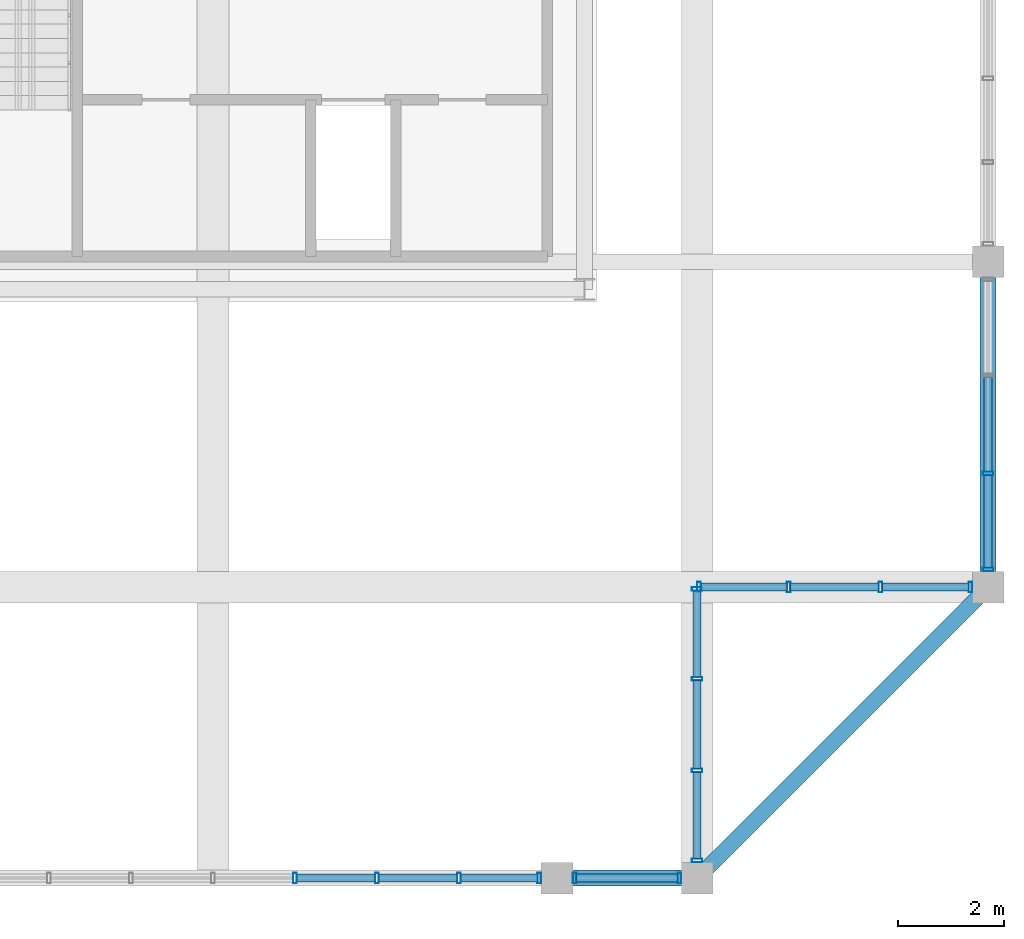
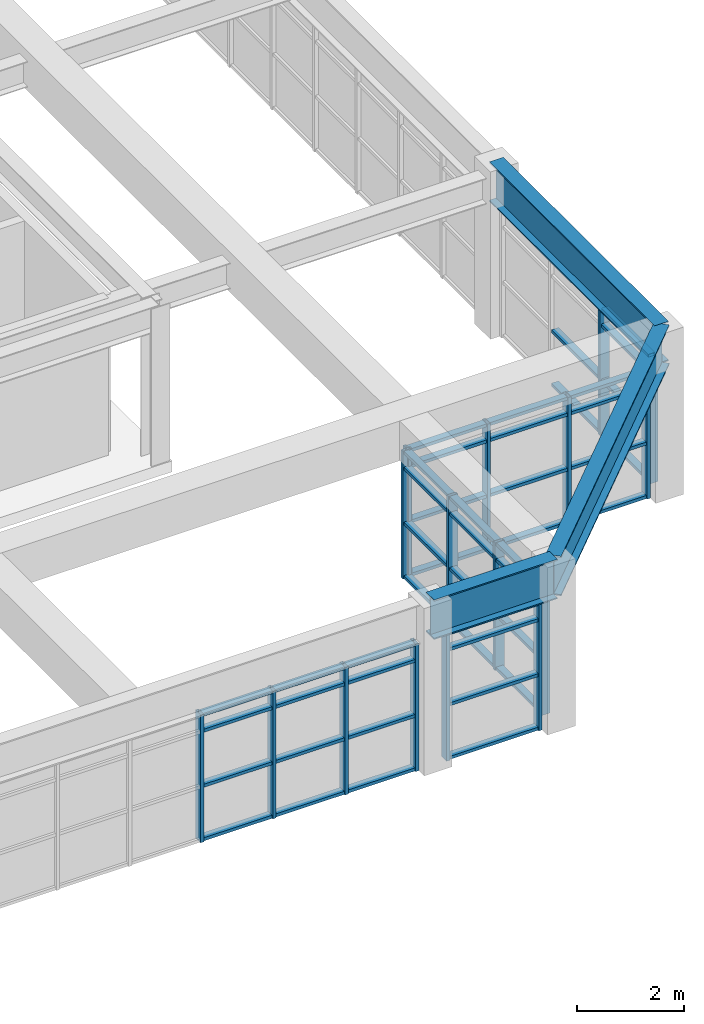
# One storey, part 7 of 28: 62 members, 3 beams, 5 elements without a shape of their own.
"""IFC4 building model written with IfcOpenShell, lengths in metres."""

from ifc_helpers import new_model, si_unit, direction, frame, origin, origin_2d, place, context, subcontext, project, spatial, hollow_rectangle, i_section, extrude, source, transform, mapped, material, layer, layer_set, material_profile, profile_set, type_object, element, aggregate, save


model = new_model("IFC4")

# Units and contexts
model_context = context("Model", 3, precision=1e-05, world=origin(), true_north=direction((0.0, 1.0)))
body_context = subcontext(model_context, "Body", "Model", "MODEL_VIEW")
ifc_project = project(units=[si_unit("LENGTHUNIT", "METRE"), si_unit("AREAUNIT", "SQUARE_METRE"), si_unit("VOLUMEUNIT", "CUBIC_METRE"), si_unit("PLANEANGLEUNIT", "RADIAN"), si_unit("MASSUNIT", "GRAM", prefix="KILO")], contexts=[model_context])

# Site, building, storey
site_placement = place(None, origin())
site = spatial("IfcSite", under=ifc_project, at=site_placement, CompositionType="ELEMENT")
building_placement = place(site_placement, origin())
building = spatial("IfcBuilding", under=site, at=building_placement, Name="Saelheon Loggia Tower", CompositionType="ELEMENT")
storey_placement = place(building_placement, frame((0.0, 0.0, 271.199951171875)))
storey = spatial("IfcBuildingStorey", under=building, at=storey_placement, Name="CR6", CompositionType="ELEMENT", Elevation=271.199951171875)

# Beams
ifc_material_1 = material(Name="Steel SM355", Category="steel")
ifc_material_profile_1 = material_profile(ifc_material_1, i_section(OverallWidth=0.300048828125, OverallDepth=0.89990234375, WebThickness=0.01611328125, FlangeThickness=0.028076171875, at=origin_2d()), Name="H-900x300x16x28")
ifc_profile_set_1 = profile_set([ifc_material_profile_1], Name="Steel SM355")
beam_type = type_object("IfcBeamType", Name="Beam_PoolGirder_Steel_H900", PredefinedType="BEAM", material=ifc_profile_set_1)
shared_shape_1 = source(origin(), body_context, "Body", "SweptSolid", [
    extrude(i_section(OverallWidth=0.300048828125, OverallDepth=0.89990234375, WebThickness=0.01611328125, FlangeThickness=0.028076171875, at=origin_2d()), origin(), (0.0, 0.0, 1.0), 2.64990234375),
])
beam_1_placement = place(storey_placement, frame((44.5, 6.35009765625, 3.35009765625), z_axis=(1.0, 0.0, 0.0), x_axis=(0.0, 1.0, 0.0)))
element("IfcBeam", 1, at=beam_1_placement, inside=storey, type_object=beam_type, Name="CR6 CROWN FRAME Sill Girder 03", PredefinedType="BEAM", context=body_context, shape_type="MappedRepresentation", body=[
    mapped(shared_shape_1, transform((0.0, 0.0, 0.0), scale=1.0)),
])
shared_shape_2 = source(origin(), body_context, "Body", "SweptSolid", [
    extrude(i_section(OverallWidth=0.300048828125, OverallDepth=0.89990234375, WebThickness=0.01611328125, FlangeThickness=0.028076171875, at=origin_2d()), origin(), (0.0, 0.0, 1.0), 7.778076171875),
])
beam_2_placement = place(storey_placement, frame((47.14990234375, 6.35009765625, 3.35009765625), z_axis=(0.707106781187, 0.707106781187, 0.0), x_axis=(-0.707106781187, 0.707106781187, 0.0)))
element("IfcBeam", 2, at=beam_2_placement, inside=storey, type_object=beam_type, Name="CR6 CROWN FRAME Sill Girder 04", PredefinedType="BEAM", context=body_context, shape_type="MappedRepresentation", body=[
    mapped(shared_shape_2, transform((0.0, 0.0, 0.0), scale=1.0)),
])
shared_shape_3 = source(origin(), body_context, "Body", "SweptSolid", [
    extrude(i_section(OverallWidth=0.300048828125, OverallDepth=0.89990234375, WebThickness=0.01611328125, FlangeThickness=0.028076171875, at=origin_2d()), origin(), (0.0, 0.0, 1.0), 6.14990234375),
])
beam_3_placement = place(storey_placement, frame((52.64990234375, 11.85009765625, 3.35009765625), z_axis=(0.0, 1.0, 0.0), x_axis=(-1.0, 0.0, 0.0)))
element("IfcBeam", 3, at=beam_3_placement, inside=storey, type_object=beam_type, Name="CR6 CROWN FRAME Sill Girder 05", PredefinedType="BEAM", context=body_context, shape_type="MappedRepresentation", body=[
    mapped(shared_shape_3, transform((0.0, 0.0, 0.0), scale=1.0)),
])

# Curtain wall, members
ifc_material_2 = material(Name="Bronze-Anodised Aluminium and Fritted Ceramic Screen", Category="aluminium")
ifc_layer = layer(ifc_material_2, 0.219970703125)
ifc_layer_set = layer_set([ifc_layer], Name="Bronze-Anodised Aluminium and Fritted Ceramic Screen")
curtain_wall_type = type_object("IfcCurtainWallType", Name="CW_CrownScreen", PredefinedType="NOTDEFINED", material=ifc_layer_set)
curtain_wall_1_placement = place(storey_placement, origin())
curtain_wall_1 = element("IfcCurtainWall", 4, at=curtain_wall_1_placement, inside=storey, type_object=curtain_wall_type, Name="CR6 Crown Screen Curtain Wall 0-2", PredefinedType="NOTDEFINED")
ifc_material_3 = material(Name="Bronze-Anodised Aluminium 6063-T6", Category="aluminium")
ifc_material_profile_2 = material_profile(ifc_material_3, hollow_rectangle(XDim=0.070068359375, YDim=0.199951171875, WallThickness=0.0048828125, at=origin_2d()), Name="RHS-200x70x5")
ifc_profile_set_2 = profile_set([ifc_material_profile_2], Name="Bronze-Anodised Aluminium 6063-T6")
member_type_1 = type_object("IfcMemberType", Name="CW_CrownScreen_Mullion", PredefinedType="MULLION", material=ifc_profile_set_2)
shared_shape_4 = source(origin(), body_context, "Body", "SweptSolid", [
    extrude(hollow_rectangle(XDim=0.070068359375, YDim=0.199951171875, WallThickness=0.0048828125, at=origin_2d()), origin(), (0.0, 0.0, 1.0), 2.900146484375),
])
member_1_placement = place(storey_placement, frame((39.550048828125, 6.35009765625, 0.0), z_axis=(0.0, 0.0, 1.0), x_axis=(1.0, 0.0, 0.0)))
member_1 = element("IfcMember", 5, at=member_1_placement, type_object=member_type_1, Name="CW6 mullion 6", PredefinedType="MULLION", context=body_context, shape_type="MappedRepresentation", body=[
    mapped(shared_shape_4, transform((0.0, 0.0, 0.0), scale=1.0)),
])
member_2_placement = place(storey_placement, frame((41.10009765625, 6.35009765625, 0.0), z_axis=(0.0, 0.0, 1.0), x_axis=(1.0, 0.0, 0.0)))
member_2 = element("IfcMember", 6, at=member_2_placement, type_object=member_type_1, Name="CW6 mullion 7", PredefinedType="MULLION", context=body_context, shape_type="MappedRepresentation", body=[
    mapped(shared_shape_4, transform((0.0, 0.0, 0.0), scale=1.0)),
])
member_3_placement = place(storey_placement, frame((42.64990234375, 6.35009765625, 0.0), z_axis=(0.0, 0.0, 1.0), x_axis=(1.0, 0.0, 0.0)))
member_3 = element("IfcMember", 7, at=member_3_placement, type_object=member_type_1, Name="CW6 mullion 8", PredefinedType="MULLION", context=body_context, shape_type="MappedRepresentation", body=[
    mapped(shared_shape_4, transform((0.0, 0.0, 0.0), scale=1.0)),
])
member_4_placement = place(storey_placement, frame((44.1650390625, 6.35009765625, 0.0), z_axis=(0.0, 0.0, 1.0), x_axis=(1.0, 0.0, 0.0)))
member_4 = element("IfcMember", 8, at=member_4_placement, type_object=member_type_1, Name="CW6 mullion 9", PredefinedType="MULLION", context=body_context, shape_type="MappedRepresentation", body=[
    mapped(shared_shape_4, transform((0.0, 0.0, 0.0), scale=1.0)),
])

curtain_wall_2_placement = place(storey_placement, origin())
curtain_wall_2 = element("IfcCurtainWall", 9, at=curtain_wall_2_placement, inside=storey, type_object=curtain_wall_type, Name="CR6 Crown Screen Curtain Wall 0-3", PredefinedType="NOTDEFINED")
member_5_placement = place(storey_placement, frame((44.8349609375, 6.35009765625, 0.0), z_axis=(0.0, 0.0, 1.0), x_axis=(1.0, 0.0, 0.0)))
member_5 = element("IfcMember", 10, at=member_5_placement, type_object=member_type_1, Name="CW6 mullion 1", PredefinedType="MULLION", context=body_context, shape_type="MappedRepresentation", body=[
    mapped(shared_shape_4, transform((0.0, 0.0, 0.0), scale=1.0)),
])
member_6_placement = place(storey_placement, frame((46.81494140625, 6.35009765625, 0.0), z_axis=(0.0, 0.0, 1.0), x_axis=(1.0, 0.0, 0.0)))
member_6 = element("IfcMember", 11, at=member_6_placement, type_object=member_type_1, Name="CW6 mullion 2", PredefinedType="MULLION", context=body_context, shape_type="MappedRepresentation", body=[
    mapped(shared_shape_4, transform((0.0, 0.0, 0.0), scale=1.0)),
])

curtain_wall_3_placement = place(storey_placement, origin())
curtain_wall_3 = element("IfcCurtainWall", 12, at=curtain_wall_3_placement, inside=storey, type_object=curtain_wall_type, Name="CR6 Crown Screen Curtain Wall 1-1", PredefinedType="NOTDEFINED")
member_7_placement = place(storey_placement, frame((47.14990234375, 6.68505859375, 0.0), z_axis=(0.0, 0.0, 1.0), x_axis=(0.0, 1.0, 0.0)))
member_7 = element("IfcMember", 13, at=member_7_placement, type_object=member_type_1, Name="CW6 mullion 1", PredefinedType="MULLION", context=body_context, shape_type="MappedRepresentation", body=[
    mapped(shared_shape_4, transform((0.0, 0.0, 0.0), scale=1.0)),
])
member_8_placement = place(storey_placement, frame((47.14990234375, 8.38330078125, 0.0), z_axis=(0.0, 0.0, 1.0), x_axis=(0.0, 1.0, 0.0)))
member_8 = element("IfcMember", 14, at=member_8_placement, type_object=member_type_1, Name="CW6 mullion 2", PredefinedType="MULLION", context=body_context, shape_type="MappedRepresentation", body=[
    mapped(shared_shape_4, transform((0.0, 0.0, 0.0), scale=1.0)),
])
member_9_placement = place(storey_placement, frame((47.14990234375, 10.11669921875, 0.0), z_axis=(0.0, 0.0, 1.0), x_axis=(0.0, 1.0, 0.0)))
member_9 = element("IfcMember", 15, at=member_9_placement, type_object=member_type_1, Name="CW6 mullion 3", PredefinedType="MULLION", context=body_context, shape_type="MappedRepresentation", body=[
    mapped(shared_shape_4, transform((0.0, 0.0, 0.0), scale=1.0)),
])
member_10_placement = place(storey_placement, frame((47.14990234375, 11.81494140625, 0.0), z_axis=(0.0, 0.0, 1.0), x_axis=(0.0, 1.0, 0.0)))
member_10 = element("IfcMember", 16, at=member_10_placement, type_object=member_type_1, Name="CW6 mullion 4", PredefinedType="MULLION", context=body_context, shape_type="MappedRepresentation", body=[
    mapped(shared_shape_4, transform((0.0, 0.0, 0.0), scale=1.0)),
])

curtain_wall_4_placement = place(storey_placement, origin())
curtain_wall_4 = element("IfcCurtainWall", 17, at=curtain_wall_4_placement, inside=storey, type_object=curtain_wall_type, Name="CR6 Crown Screen Curtain Wall 2-1", PredefinedType="NOTDEFINED")
member_11_placement = place(storey_placement, frame((47.18505859375, 11.85009765625, 0.0), z_axis=(0.0, 0.0, 1.0), x_axis=(1.0, 0.0, 0.0)))
member_11 = element("IfcMember", 18, at=member_11_placement, type_object=member_type_1, Name="CW6 mullion 1", PredefinedType="MULLION", context=body_context, shape_type="MappedRepresentation", body=[
    mapped(shared_shape_4, transform((0.0, 0.0, 0.0), scale=1.0)),
])
member_12_placement = place(storey_placement, frame((48.88330078125, 11.85009765625, 0.0), z_axis=(0.0, 0.0, 1.0), x_axis=(1.0, 0.0, 0.0)))
member_12 = element("IfcMember", 19, at=member_12_placement, type_object=member_type_1, Name="CW6 mullion 2", PredefinedType="MULLION", context=body_context, shape_type="MappedRepresentation", body=[
    mapped(shared_shape_4, transform((0.0, 0.0, 0.0), scale=1.0)),
])
member_13_placement = place(storey_placement, frame((50.61669921875, 11.85009765625, 0.0), z_axis=(0.0, 0.0, 1.0), x_axis=(1.0, 0.0, 0.0)))
member_13 = element("IfcMember", 20, at=member_13_placement, type_object=member_type_1, Name="CW6 mullion 3", PredefinedType="MULLION", context=body_context, shape_type="MappedRepresentation", body=[
    mapped(shared_shape_4, transform((0.0, 0.0, 0.0), scale=1.0)),
])
member_14_placement = place(storey_placement, frame((52.31494140625, 11.85009765625, 0.0), z_axis=(0.0, 0.0, 1.0), x_axis=(1.0, 0.0, 0.0)))
member_14 = element("IfcMember", 21, at=member_14_placement, type_object=member_type_1, Name="CW6 mullion 4", PredefinedType="MULLION", context=body_context, shape_type="MappedRepresentation", body=[
    mapped(shared_shape_4, transform((0.0, 0.0, 0.0), scale=1.0)),
])

curtain_wall_5_placement = place(storey_placement, origin())
curtain_wall_5 = element("IfcCurtainWall", 22, at=curtain_wall_5_placement, inside=storey, type_object=curtain_wall_type, Name="CR6 Crown Screen Curtain Wall 3-1", PredefinedType="NOTDEFINED")
member_15_placement = place(storey_placement, frame((52.64990234375, 12.18505859375, 0.0), z_axis=(0.0, 0.0, 1.0), x_axis=(0.0, 1.0, 0.0)))
member_15 = element("IfcMember", 23, at=member_15_placement, type_object=member_type_1, Name="CW6 mullion 1", PredefinedType="MULLION", context=body_context, shape_type="MappedRepresentation", body=[
    mapped(shared_shape_4, transform((0.0, 0.0, 0.0), scale=1.0)),
])
member_16_placement = place(storey_placement, frame((52.64990234375, 14.0, 0.0), z_axis=(0.0, 0.0, 1.0), x_axis=(0.0, 1.0, 0.0)))
member_16 = element("IfcMember", 24, at=member_16_placement, type_object=member_type_1, Name="CW6 mullion 2", PredefinedType="MULLION", context=body_context, shape_type="MappedRepresentation", body=[
    mapped(shared_shape_4, transform((0.0, 0.0, 0.0), scale=1.0)),
])

# Member
ifc_material_profile_3 = material_profile(ifc_material_3, hollow_rectangle(XDim=0.070068359375, YDim=0.14990234375, WallThickness=0.0048828125, at=origin_2d()), Name="RHS-150x70x5")
ifc_profile_set_3 = profile_set([ifc_material_profile_3], Name="Bronze-Anodised Aluminium 6063-T6")
member_type_2 = type_object("IfcMemberType", Name="CW_CrownScreen_Transom", PredefinedType="USERDEFINED", material=ifc_profile_set_3)
shared_shape_5 = source(origin(), body_context, "Body", "SweptSolid", [
    extrude(hollow_rectangle(XDim=0.070068359375, YDim=0.14990234375, WallThickness=0.0048828125, at=origin_2d()), origin(), (0.0, 0.0, 1.0), 1.909912109375),
])
member_17_placement = place(storey_placement, frame((44.8701171875, 6.35009765625, 0.03515625), z_axis=(1.0, 0.0, 0.0), x_axis=(0.0, 0.0, 1.0)))
member_17 = element("IfcMember", 25, at=member_17_placement, type_object=member_type_2, Name="CW6 transom 1.1", ObjectType="TRANSOM", PredefinedType="USERDEFINED", context=body_context, shape_type="MappedRepresentation", body=[
    mapped(shared_shape_5, transform((0.0, 0.0, 0.0), scale=1.0)),
])

member_18_placement = place(storey_placement, frame((44.8701171875, 6.35009765625, 1.25), z_axis=(1.0, 0.0, 0.0), x_axis=(0.0, 0.0, 1.0)))
member_18 = element("IfcMember", 26, at=member_18_placement, type_object=member_type_2, Name="CW6 transom 1.2", ObjectType="TRANSOM", PredefinedType="USERDEFINED", context=body_context, shape_type="MappedRepresentation", body=[
    mapped(shared_shape_5, transform((0.0, 0.0, 0.0), scale=1.0)),
])

member_19_placement = place(storey_placement, frame((44.8701171875, 6.35009765625, 2.5), z_axis=(1.0, 0.0, 0.0), x_axis=(0.0, 0.0, 1.0)))
member_19 = element("IfcMember", 27, at=member_19_placement, type_object=member_type_2, Name="CW6 transom 1.3", ObjectType="TRANSOM", PredefinedType="USERDEFINED", context=body_context, shape_type="MappedRepresentation", body=[
    mapped(shared_shape_5, transform((0.0, 0.0, 0.0), scale=1.0)),
])

member_20_placement = place(storey_placement, frame((44.8701171875, 6.35009765625, 2.864990234375), z_axis=(1.0, 0.0, 0.0), x_axis=(0.0, 0.0, 1.0)))
member_20 = element("IfcMember", 28, at=member_20_placement, type_object=member_type_2, Name="CW6 transom 1.4", ObjectType="TRANSOM", PredefinedType="USERDEFINED", context=body_context, shape_type="MappedRepresentation", body=[
    mapped(shared_shape_5, transform((0.0, 0.0, 0.0), scale=1.0)),
])

aggregate(curtain_wall_2, [member_5, member_6, member_17, member_18, member_19, member_20])

shared_shape_6 = source(origin(), body_context, "Body", "SweptSolid", [
    extrude(hollow_rectangle(XDim=0.070068359375, YDim=0.14990234375, WallThickness=0.0048828125, at=origin_2d()), origin(), (0.0, 0.0, 1.0), 1.44482421875),
])
member_21_placement = place(storey_placement, frame((42.68505859375, 6.35009765625, 0.03515625), z_axis=(1.0, 0.0, 0.0), x_axis=(0.0, 0.0, 1.0)))
member_21 = element("IfcMember", 29, at=member_21_placement, type_object=member_type_2, Name="CW6 transom 8.1", ObjectType="TRANSOM", PredefinedType="USERDEFINED", context=body_context, shape_type="MappedRepresentation", body=[
    mapped(shared_shape_6, transform((0.0, 0.0, 0.0), scale=1.0)),
])

member_22_placement = place(storey_placement, frame((42.68505859375, 6.35009765625, 1.25), z_axis=(1.0, 0.0, 0.0), x_axis=(0.0, 0.0, 1.0)))
member_22 = element("IfcMember", 30, at=member_22_placement, type_object=member_type_2, Name="CW6 transom 8.2", ObjectType="TRANSOM", PredefinedType="USERDEFINED", context=body_context, shape_type="MappedRepresentation", body=[
    mapped(shared_shape_6, transform((0.0, 0.0, 0.0), scale=1.0)),
])

member_23_placement = place(storey_placement, frame((42.68505859375, 6.35009765625, 2.5), z_axis=(1.0, 0.0, 0.0), x_axis=(0.0, 0.0, 1.0)))
member_23 = element("IfcMember", 31, at=member_23_placement, type_object=member_type_2, Name="CW6 transom 8.3", ObjectType="TRANSOM", PredefinedType="USERDEFINED", context=body_context, shape_type="MappedRepresentation", body=[
    mapped(shared_shape_6, transform((0.0, 0.0, 0.0), scale=1.0)),
])

member_24_placement = place(storey_placement, frame((42.68505859375, 6.35009765625, 2.864990234375), z_axis=(1.0, 0.0, 0.0), x_axis=(0.0, 0.0, 1.0)))
member_24 = element("IfcMember", 32, at=member_24_placement, type_object=member_type_2, Name="CW6 transom 8.4", ObjectType="TRANSOM", PredefinedType="USERDEFINED", context=body_context, shape_type="MappedRepresentation", body=[
    mapped(shared_shape_6, transform((0.0, 0.0, 0.0), scale=1.0)),
])

shared_shape_7 = source(origin(), body_context, "Body", "SweptSolid", [
    extrude(hollow_rectangle(XDim=0.070068359375, YDim=0.14990234375, WallThickness=0.0048828125, at=origin_2d()), origin(), (0.0, 0.0, 1.0), 1.47998046875),
])
member_25_placement = place(storey_placement, frame((39.5849609375, 6.35009765625, 0.03515625), z_axis=(1.0, 0.0, 0.0), x_axis=(0.0, 0.0, 1.0)))
member_25 = element("IfcMember", 33, at=member_25_placement, type_object=member_type_2, Name="CW6 transom 6.1", ObjectType="TRANSOM", PredefinedType="USERDEFINED", context=body_context, shape_type="MappedRepresentation", body=[
    mapped(shared_shape_7, transform((0.0, 0.0, 0.0), scale=1.0)),
])

member_26_placement = place(storey_placement, frame((39.5849609375, 6.35009765625, 1.25), z_axis=(1.0, 0.0, 0.0), x_axis=(0.0, 0.0, 1.0)))
member_26 = element("IfcMember", 34, at=member_26_placement, type_object=member_type_2, Name="CW6 transom 6.2", ObjectType="TRANSOM", PredefinedType="USERDEFINED", context=body_context, shape_type="MappedRepresentation", body=[
    mapped(shared_shape_7, transform((0.0, 0.0, 0.0), scale=1.0)),
])

member_27_placement = place(storey_placement, frame((39.5849609375, 6.35009765625, 2.5), z_axis=(1.0, 0.0, 0.0), x_axis=(0.0, 0.0, 1.0)))
member_27 = element("IfcMember", 35, at=member_27_placement, type_object=member_type_2, Name="CW6 transom 6.3", ObjectType="TRANSOM", PredefinedType="USERDEFINED", context=body_context, shape_type="MappedRepresentation", body=[
    mapped(shared_shape_7, transform((0.0, 0.0, 0.0), scale=1.0)),
])

member_28_placement = place(storey_placement, frame((39.5849609375, 6.35009765625, 2.864990234375), z_axis=(1.0, 0.0, 0.0), x_axis=(0.0, 0.0, 1.0)))
member_28 = element("IfcMember", 36, at=member_28_placement, type_object=member_type_2, Name="CW6 transom 6.4", ObjectType="TRANSOM", PredefinedType="USERDEFINED", context=body_context, shape_type="MappedRepresentation", body=[
    mapped(shared_shape_7, transform((0.0, 0.0, 0.0), scale=1.0)),
])

member_29_placement = place(storey_placement, frame((41.135009765625, 6.35009765625, 0.03515625), z_axis=(1.0, 0.0, 0.0), x_axis=(0.0, 0.0, 1.0)))
member_29 = element("IfcMember", 37, at=member_29_placement, type_object=member_type_2, Name="CW6 transom 7.1", ObjectType="TRANSOM", PredefinedType="USERDEFINED", context=body_context, shape_type="MappedRepresentation", body=[
    mapped(shared_shape_7, transform((0.0, 0.0, 0.0), scale=1.0)),
])

member_30_placement = place(storey_placement, frame((41.135009765625, 6.35009765625, 1.25), z_axis=(1.0, 0.0, 0.0), x_axis=(0.0, 0.0, 1.0)))
member_30 = element("IfcMember", 38, at=member_30_placement, type_object=member_type_2, Name="CW6 transom 7.2", ObjectType="TRANSOM", PredefinedType="USERDEFINED", context=body_context, shape_type="MappedRepresentation", body=[
    mapped(shared_shape_7, transform((0.0, 0.0, 0.0), scale=1.0)),
])

member_31_placement = place(storey_placement, frame((41.135009765625, 6.35009765625, 2.5), z_axis=(1.0, 0.0, 0.0), x_axis=(0.0, 0.0, 1.0)))
member_31 = element("IfcMember", 39, at=member_31_placement, type_object=member_type_2, Name="CW6 transom 7.3", ObjectType="TRANSOM", PredefinedType="USERDEFINED", context=body_context, shape_type="MappedRepresentation", body=[
    mapped(shared_shape_7, transform((0.0, 0.0, 0.0), scale=1.0)),
])

member_32_placement = place(storey_placement, frame((41.135009765625, 6.35009765625, 2.864990234375), z_axis=(1.0, 0.0, 0.0), x_axis=(0.0, 0.0, 1.0)))
member_32 = element("IfcMember", 40, at=member_32_placement, type_object=member_type_2, Name="CW6 transom 7.4", ObjectType="TRANSOM", PredefinedType="USERDEFINED", context=body_context, shape_type="MappedRepresentation", body=[
    mapped(shared_shape_7, transform((0.0, 0.0, 0.0), scale=1.0)),
])

aggregate(curtain_wall_1, [member_1, member_2, member_3, member_4, member_25, member_26, member_27, member_28, member_29, member_30, member_31, member_32, member_21, member_22, member_23, member_24])

shared_shape_8 = source(origin(), body_context, "Body", "SweptSolid", [
    extrude(hollow_rectangle(XDim=0.070068359375, YDim=0.14990234375, WallThickness=0.0048828125, at=origin_2d()), origin(), (0.0, 0.0, 1.0), 1.62841796875),
])
member_33_placement = place(storey_placement, frame((47.14990234375, 6.719970703125, 0.03515625), z_axis=(0.0, 1.0, 0.0), x_axis=(0.0, 0.0, 1.0)))
member_33 = element("IfcMember", 41, at=member_33_placement, type_object=member_type_2, Name="CW6 transom 1.1", ObjectType="TRANSOM", PredefinedType="USERDEFINED", context=body_context, shape_type="MappedRepresentation", body=[
    mapped(shared_shape_8, transform((0.0, 0.0, 0.0), scale=1.0)),
])

member_34_placement = place(storey_placement, frame((47.14990234375, 6.719970703125, 1.25), z_axis=(0.0, 1.0, 0.0), x_axis=(0.0, 0.0, 1.0)))
member_34 = element("IfcMember", 42, at=member_34_placement, type_object=member_type_2, Name="CW6 transom 1.2", ObjectType="TRANSOM", PredefinedType="USERDEFINED", context=body_context, shape_type="MappedRepresentation", body=[
    mapped(shared_shape_8, transform((0.0, 0.0, 0.0), scale=1.0)),
])

member_35_placement = place(storey_placement, frame((47.14990234375, 6.719970703125, 2.5), z_axis=(0.0, 1.0, 0.0), x_axis=(0.0, 0.0, 1.0)))
member_35 = element("IfcMember", 43, at=member_35_placement, type_object=member_type_2, Name="CW6 transom 1.3", ObjectType="TRANSOM", PredefinedType="USERDEFINED", context=body_context, shape_type="MappedRepresentation", body=[
    mapped(shared_shape_8, transform((0.0, 0.0, 0.0), scale=1.0)),
])

member_36_placement = place(storey_placement, frame((47.14990234375, 6.719970703125, 2.864990234375), z_axis=(0.0, 1.0, 0.0), x_axis=(0.0, 0.0, 1.0)))
member_36 = element("IfcMember", 44, at=member_36_placement, type_object=member_type_2, Name="CW6 transom 1.4", ObjectType="TRANSOM", PredefinedType="USERDEFINED", context=body_context, shape_type="MappedRepresentation", body=[
    mapped(shared_shape_8, transform((0.0, 0.0, 0.0), scale=1.0)),
])

member_37_placement = place(storey_placement, frame((47.14990234375, 10.151611328125, 0.03515625), z_axis=(0.0, 1.0, 0.0), x_axis=(0.0, 0.0, 1.0)))
member_37 = element("IfcMember", 45, at=member_37_placement, type_object=member_type_2, Name="CW6 transom 3.1", ObjectType="TRANSOM", PredefinedType="USERDEFINED", context=body_context, shape_type="MappedRepresentation", body=[
    mapped(shared_shape_8, transform((0.0, 0.0, 0.0), scale=1.0)),
])

member_38_placement = place(storey_placement, frame((47.14990234375, 10.151611328125, 1.25), z_axis=(0.0, 1.0, 0.0), x_axis=(0.0, 0.0, 1.0)))
member_38 = element("IfcMember", 46, at=member_38_placement, type_object=member_type_2, Name="CW6 transom 3.2", ObjectType="TRANSOM", PredefinedType="USERDEFINED", context=body_context, shape_type="MappedRepresentation", body=[
    mapped(shared_shape_8, transform((0.0, 0.0, 0.0), scale=1.0)),
])

member_39_placement = place(storey_placement, frame((47.14990234375, 10.151611328125, 2.5), z_axis=(0.0, 1.0, 0.0), x_axis=(0.0, 0.0, 1.0)))
member_39 = element("IfcMember", 47, at=member_39_placement, type_object=member_type_2, Name="CW6 transom 3.3", ObjectType="TRANSOM", PredefinedType="USERDEFINED", context=body_context, shape_type="MappedRepresentation", body=[
    mapped(shared_shape_8, transform((0.0, 0.0, 0.0), scale=1.0)),
])

member_40_placement = place(storey_placement, frame((47.14990234375, 10.151611328125, 2.864990234375), z_axis=(0.0, 1.0, 0.0), x_axis=(0.0, 0.0, 1.0)))
member_40 = element("IfcMember", 48, at=member_40_placement, type_object=member_type_2, Name="CW6 transom 3.4", ObjectType="TRANSOM", PredefinedType="USERDEFINED", context=body_context, shape_type="MappedRepresentation", body=[
    mapped(shared_shape_8, transform((0.0, 0.0, 0.0), scale=1.0)),
])

member_41_placement = place(storey_placement, frame((47.219970703125, 11.85009765625, 0.03515625), z_axis=(1.0, 0.0, 0.0), x_axis=(0.0, 0.0, 1.0)))
member_41 = element("IfcMember", 49, at=member_41_placement, type_object=member_type_2, Name="CW6 transom 1.1", ObjectType="TRANSOM", PredefinedType="USERDEFINED", context=body_context, shape_type="MappedRepresentation", body=[
    mapped(shared_shape_8, transform((0.0, 0.0, 0.0), scale=1.0)),
])

member_42_placement = place(storey_placement, frame((47.219970703125, 11.85009765625, 1.25), z_axis=(1.0, 0.0, 0.0), x_axis=(0.0, 0.0, 1.0)))
member_42 = element("IfcMember", 50, at=member_42_placement, type_object=member_type_2, Name="CW6 transom 1.2", ObjectType="TRANSOM", PredefinedType="USERDEFINED", context=body_context, shape_type="MappedRepresentation", body=[
    mapped(shared_shape_8, transform((0.0, 0.0, 0.0), scale=1.0)),
])

member_43_placement = place(storey_placement, frame((47.219970703125, 11.85009765625, 2.5), z_axis=(1.0, 0.0, 0.0), x_axis=(0.0, 0.0, 1.0)))
member_43 = element("IfcMember", 51, at=member_43_placement, type_object=member_type_2, Name="CW6 transom 1.3", ObjectType="TRANSOM", PredefinedType="USERDEFINED", context=body_context, shape_type="MappedRepresentation", body=[
    mapped(shared_shape_8, transform((0.0, 0.0, 0.0), scale=1.0)),
])

member_44_placement = place(storey_placement, frame((47.219970703125, 11.85009765625, 2.864990234375), z_axis=(1.0, 0.0, 0.0), x_axis=(0.0, 0.0, 1.0)))
member_44 = element("IfcMember", 52, at=member_44_placement, type_object=member_type_2, Name="CW6 transom 1.4", ObjectType="TRANSOM", PredefinedType="USERDEFINED", context=body_context, shape_type="MappedRepresentation", body=[
    mapped(shared_shape_8, transform((0.0, 0.0, 0.0), scale=1.0)),
])

member_45_placement = place(storey_placement, frame((50.651611328125, 11.85009765625, 0.03515625), z_axis=(1.0, 0.0, 0.0), x_axis=(0.0, 0.0, 1.0)))
member_45 = element("IfcMember", 53, at=member_45_placement, type_object=member_type_2, Name="CW6 transom 3.1", ObjectType="TRANSOM", PredefinedType="USERDEFINED", context=body_context, shape_type="MappedRepresentation", body=[
    mapped(shared_shape_8, transform((0.0, 0.0, 0.0), scale=1.0)),
])

member_46_placement = place(storey_placement, frame((50.651611328125, 11.85009765625, 1.25), z_axis=(1.0, 0.0, 0.0), x_axis=(0.0, 0.0, 1.0)))
member_46 = element("IfcMember", 54, at=member_46_placement, type_object=member_type_2, Name="CW6 transom 3.2", ObjectType="TRANSOM", PredefinedType="USERDEFINED", context=body_context, shape_type="MappedRepresentation", body=[
    mapped(shared_shape_8, transform((0.0, 0.0, 0.0), scale=1.0)),
])

member_47_placement = place(storey_placement, frame((50.651611328125, 11.85009765625, 2.5), z_axis=(1.0, 0.0, 0.0), x_axis=(0.0, 0.0, 1.0)))
member_47 = element("IfcMember", 55, at=member_47_placement, type_object=member_type_2, Name="CW6 transom 3.3", ObjectType="TRANSOM", PredefinedType="USERDEFINED", context=body_context, shape_type="MappedRepresentation", body=[
    mapped(shared_shape_8, transform((0.0, 0.0, 0.0), scale=1.0)),
])

member_48_placement = place(storey_placement, frame((50.651611328125, 11.85009765625, 2.864990234375), z_axis=(1.0, 0.0, 0.0), x_axis=(0.0, 0.0, 1.0)))
member_48 = element("IfcMember", 56, at=member_48_placement, type_object=member_type_2, Name="CW6 transom 3.4", ObjectType="TRANSOM", PredefinedType="USERDEFINED", context=body_context, shape_type="MappedRepresentation", body=[
    mapped(shared_shape_8, transform((0.0, 0.0, 0.0), scale=1.0)),
])

shared_shape_9 = source(origin(), body_context, "Body", "SweptSolid", [
    extrude(hollow_rectangle(XDim=0.070068359375, YDim=0.14990234375, WallThickness=0.0048828125, at=origin_2d()), origin(), (0.0, 0.0, 1.0), 1.66357421875),
])
member_49_placement = place(storey_placement, frame((47.14990234375, 8.418212890625, 0.03515625), z_axis=(0.0, 1.0, 0.0), x_axis=(0.0, 0.0, 1.0)))
member_49 = element("IfcMember", 57, at=member_49_placement, type_object=member_type_2, Name="CW6 transom 2.1", ObjectType="TRANSOM", PredefinedType="USERDEFINED", context=body_context, shape_type="MappedRepresentation", body=[
    mapped(shared_shape_9, transform((0.0, 0.0, 0.0), scale=1.0)),
])

member_50_placement = place(storey_placement, frame((47.14990234375, 8.418212890625, 1.25), z_axis=(0.0, 1.0, 0.0), x_axis=(0.0, 0.0, 1.0)))
member_50 = element("IfcMember", 58, at=member_50_placement, type_object=member_type_2, Name="CW6 transom 2.2", ObjectType="TRANSOM", PredefinedType="USERDEFINED", context=body_context, shape_type="MappedRepresentation", body=[
    mapped(shared_shape_9, transform((0.0, 0.0, 0.0), scale=1.0)),
])

member_51_placement = place(storey_placement, frame((47.14990234375, 8.418212890625, 2.5), z_axis=(0.0, 1.0, 0.0), x_axis=(0.0, 0.0, 1.0)))
member_51 = element("IfcMember", 59, at=member_51_placement, type_object=member_type_2, Name="CW6 transom 2.3", ObjectType="TRANSOM", PredefinedType="USERDEFINED", context=body_context, shape_type="MappedRepresentation", body=[
    mapped(shared_shape_9, transform((0.0, 0.0, 0.0), scale=1.0)),
])

member_52_placement = place(storey_placement, frame((47.14990234375, 8.418212890625, 2.864990234375), z_axis=(0.0, 1.0, 0.0), x_axis=(0.0, 0.0, 1.0)))
member_52 = element("IfcMember", 60, at=member_52_placement, type_object=member_type_2, Name="CW6 transom 2.4", ObjectType="TRANSOM", PredefinedType="USERDEFINED", context=body_context, shape_type="MappedRepresentation", body=[
    mapped(shared_shape_9, transform((0.0, 0.0, 0.0), scale=1.0)),
])

aggregate(curtain_wall_3, [member_7, member_8, member_9, member_10, member_33, member_34, member_35, member_36, member_49, member_50, member_51, member_52, member_37, member_38, member_39, member_40])

member_53_placement = place(storey_placement, frame((48.918212890625, 11.85009765625, 0.03515625), z_axis=(1.0, 0.0, 0.0), x_axis=(0.0, 0.0, 1.0)))
member_53 = element("IfcMember", 61, at=member_53_placement, type_object=member_type_2, Name="CW6 transom 2.1", ObjectType="TRANSOM", PredefinedType="USERDEFINED", context=body_context, shape_type="MappedRepresentation", body=[
    mapped(shared_shape_9, transform((0.0, 0.0, 0.0), scale=1.0)),
])

member_54_placement = place(storey_placement, frame((48.918212890625, 11.85009765625, 1.25), z_axis=(1.0, 0.0, 0.0), x_axis=(0.0, 0.0, 1.0)))
member_54 = element("IfcMember", 62, at=member_54_placement, type_object=member_type_2, Name="CW6 transom 2.2", ObjectType="TRANSOM", PredefinedType="USERDEFINED", context=body_context, shape_type="MappedRepresentation", body=[
    mapped(shared_shape_9, transform((0.0, 0.0, 0.0), scale=1.0)),
])

member_55_placement = place(storey_placement, frame((48.918212890625, 11.85009765625, 2.5), z_axis=(1.0, 0.0, 0.0), x_axis=(0.0, 0.0, 1.0)))
member_55 = element("IfcMember", 63, at=member_55_placement, type_object=member_type_2, Name="CW6 transom 2.3", ObjectType="TRANSOM", PredefinedType="USERDEFINED", context=body_context, shape_type="MappedRepresentation", body=[
    mapped(shared_shape_9, transform((0.0, 0.0, 0.0), scale=1.0)),
])

member_56_placement = place(storey_placement, frame((48.918212890625, 11.85009765625, 2.864990234375), z_axis=(1.0, 0.0, 0.0), x_axis=(0.0, 0.0, 1.0)))
member_56 = element("IfcMember", 64, at=member_56_placement, type_object=member_type_2, Name="CW6 transom 2.4", ObjectType="TRANSOM", PredefinedType="USERDEFINED", context=body_context, shape_type="MappedRepresentation", body=[
    mapped(shared_shape_9, transform((0.0, 0.0, 0.0), scale=1.0)),
])

aggregate(curtain_wall_4, [member_11, member_12, member_13, member_14, member_41, member_42, member_43, member_44, member_53, member_54, member_55, member_56, member_45, member_46, member_47, member_48])

shared_shape_10 = source(origin(), body_context, "Body", "SweptSolid", [
    extrude(hollow_rectangle(XDim=0.070068359375, YDim=0.14990234375, WallThickness=0.0048828125, at=origin_2d()), origin(), (0.0, 0.0, 1.0), 1.7451171875),
])
member_57_placement = place(storey_placement, frame((52.64990234375, 12.219970703125, 0.03515625), z_axis=(0.0, 1.0, 0.0), x_axis=(0.0, 0.0, 1.0)))
member_57 = element("IfcMember", 65, at=member_57_placement, type_object=member_type_2, Name="CW6 transom 1.1", ObjectType="TRANSOM", PredefinedType="USERDEFINED", context=body_context, shape_type="MappedRepresentation", body=[
    mapped(shared_shape_10, transform((0.0, 0.0, 0.0), scale=1.0)),
])

member_58_placement = place(storey_placement, frame((52.64990234375, 12.219970703125, 1.25), z_axis=(0.0, 1.0, 0.0), x_axis=(0.0, 0.0, 1.0)))
member_58 = element("IfcMember", 66, at=member_58_placement, type_object=member_type_2, Name="CW6 transom 1.2", ObjectType="TRANSOM", PredefinedType="USERDEFINED", context=body_context, shape_type="MappedRepresentation", body=[
    mapped(shared_shape_10, transform((0.0, 0.0, 0.0), scale=1.0)),
])

member_59_placement = place(storey_placement, frame((52.64990234375, 12.219970703125, 2.5), z_axis=(0.0, 1.0, 0.0), x_axis=(0.0, 0.0, 1.0)))
member_59 = element("IfcMember", 67, at=member_59_placement, type_object=member_type_2, Name="CW6 transom 1.3", ObjectType="TRANSOM", PredefinedType="USERDEFINED", context=body_context, shape_type="MappedRepresentation", body=[
    mapped(shared_shape_10, transform((0.0, 0.0, 0.0), scale=1.0)),
])

member_60_placement = place(storey_placement, frame((52.64990234375, 12.219970703125, 2.864990234375), z_axis=(0.0, 1.0, 0.0), x_axis=(0.0, 0.0, 1.0)))
member_60 = element("IfcMember", 68, at=member_60_placement, type_object=member_type_2, Name="CW6 transom 1.4", ObjectType="TRANSOM", PredefinedType="USERDEFINED", context=body_context, shape_type="MappedRepresentation", body=[
    mapped(shared_shape_10, transform((0.0, 0.0, 0.0), scale=1.0)),
])

shared_shape_11 = source(origin(), body_context, "Body", "SweptSolid", [
    extrude(hollow_rectangle(XDim=0.070068359375, YDim=0.14990234375, WallThickness=0.0048828125, at=origin_2d()), origin(), (0.0, 0.0, 1.0), 1.780029296875),
])
member_61_placement = place(storey_placement, frame((52.64990234375, 14.034912109375, 0.03515625), z_axis=(0.0, 1.0, 0.0), x_axis=(0.0, 0.0, 1.0)))
member_61 = element("IfcMember", 69, at=member_61_placement, type_object=member_type_2, Name="CW6 transom 2.1", ObjectType="TRANSOM", PredefinedType="USERDEFINED", context=body_context, shape_type="MappedRepresentation", body=[
    mapped(shared_shape_11, transform((0.0, 0.0, 0.0), scale=1.0)),
])

member_62_placement = place(storey_placement, frame((52.64990234375, 14.034912109375, 1.25), z_axis=(0.0, 1.0, 0.0), x_axis=(0.0, 0.0, 1.0)))
member_62 = element("IfcMember", 70, at=member_62_placement, type_object=member_type_2, Name="CW6 transom 2.2", ObjectType="TRANSOM", PredefinedType="USERDEFINED", context=body_context, shape_type="MappedRepresentation", body=[
    mapped(shared_shape_11, transform((0.0, 0.0, 0.0), scale=1.0)),
])

aggregate(curtain_wall_5, [member_15, member_16, member_57, member_58, member_59, member_60, member_61, member_62])

save(model, "model.ifc")
